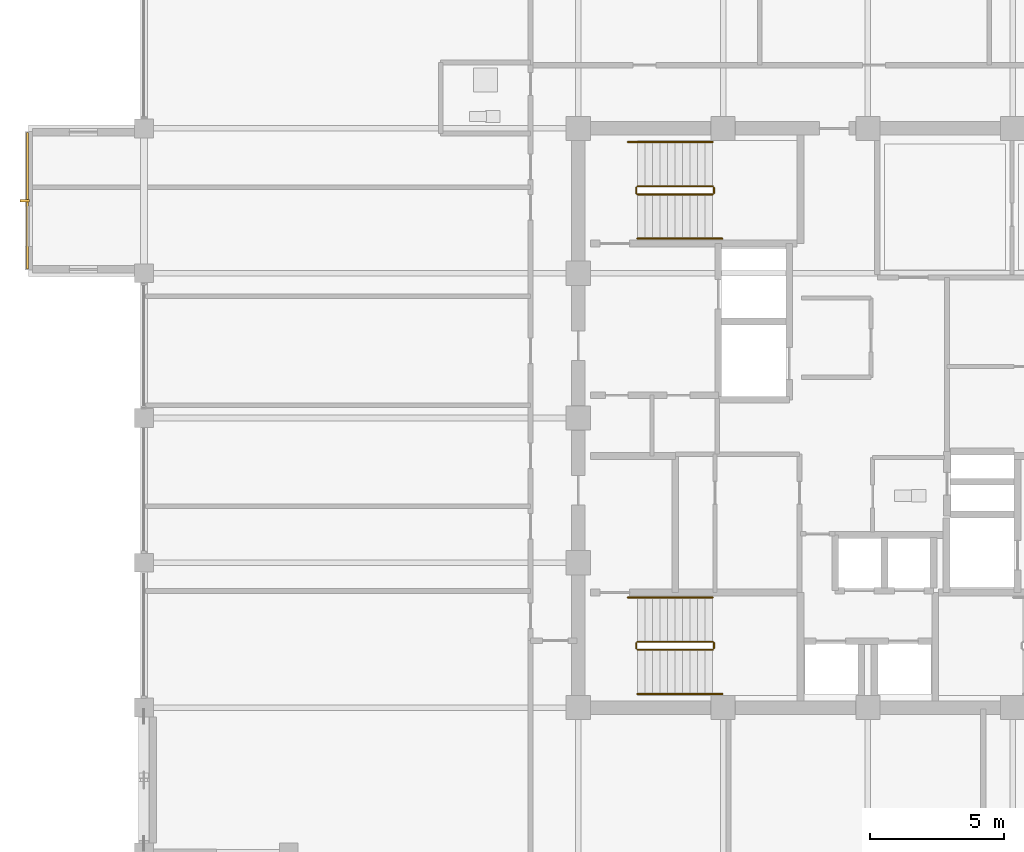
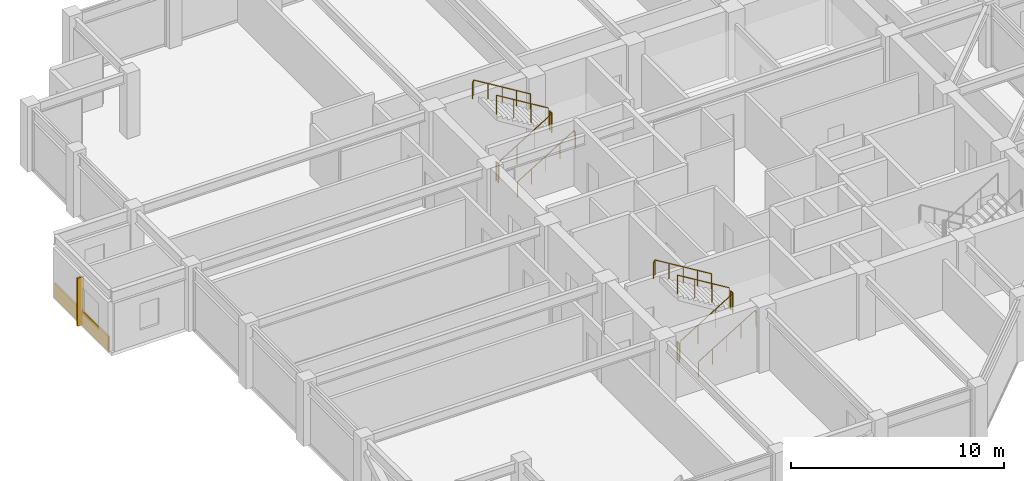
# One storey, part 29 of 31: 12 railings, 1 covering, 1 shading device.
"""IFC4 building model written with IfcOpenShell, lengths in metres."""

from ifc_helpers import new_model, si_unit, direction, frame, origin, origin_2d, place, context, subcontext, project, spatial, rectangle, circle, extrude, material, layer, layer_set, type_object, element, save


model = new_model("IFC4")

# Units and contexts
model_context = context("Model", 3, precision=1e-05, world=origin(), true_north=direction((0.0, 1.0)))
body_context = subcontext(model_context, "Body", "Model", "MODEL_VIEW")
ifc_project = project(units=[si_unit("LENGTHUNIT", "METRE"), si_unit("AREAUNIT", "SQUARE_METRE"), si_unit("VOLUMEUNIT", "CUBIC_METRE"), si_unit("PLANEANGLEUNIT", "RADIAN"), si_unit("MASSUNIT", "GRAM", prefix="KILO")], contexts=[model_context])

# Site, building, storey
site_placement = place(None, origin())
site = spatial("IfcSite", under=ifc_project, at=site_placement, CompositionType="ELEMENT")
building_placement = place(site_placement, origin())
building = spatial("IfcBuilding", under=site, at=building_placement, Name="Surkhivell Harbour Commons", CompositionType="ELEMENT")
storey_placement = place(building_placement, frame((0.0, 0.0, 262.5)))
storey = spatial("IfcBuildingStorey", under=building, at=storey_placement, Name="L68", CompositionType="ELEMENT", Elevation=262.5)

# Covering
ifc_material_1 = material(Name="Emerald-teal enamelled aluminium cassette panel", Category="aluminium")
ifc_layer = layer(ifc_material_1, 0.068115234375)
ifc_layer_set = layer_set([ifc_layer], Name="Emerald-teal enamelled aluminium cassette panel")
covering_type = type_object("IfcCoveringType", Name="COV-CLAD-EME", PredefinedType="CLADDING", material=ifc_layer_set)
covering_placement = place(storey_placement, frame((-31.340087890625, 8.10009765625, 0.0), z_axis=(0.0, 0.0, 1.0), x_axis=(1.0, 0.0, 0.0)))
element("IfcCovering", 1, at=covering_placement, inside=storey, type_object=covering_type, Name="L68 Coloured-Panel Box Spandrel Cassette 02", PredefinedType="CLADDING", context=body_context, shape_type="SweptSolid", body=[
    extrude(rectangle(XDim=0.080078125, YDim=5.10009765625, at=origin_2d()), origin(), (0.0, 0.0, 1.0), 0.840087890625),
])

# Railings
ifc_material_2 = material(Name="Galvanised and painted steel S355 guard rail", Category="steel")
railing_type_1 = type_object("IfcRailingType", Name="RAL-ST-GRD1100", PredefinedType="GUARDRAIL", material=ifc_material_2)
railing_1_placement = place(storey_placement, frame((-8.590087890625, 8.340087890625, 0.17041015625)))
element("IfcRailing", 2, at=railing_1_placement, inside=storey, type_object=railing_type_1, Name="L68 ST1 stair guard 1", PredefinedType="GUARDRAIL", context=body_context, shape_type="SweptSolid", body=[
    extrude(circle(Radius=0.02392578125, at=origin_2d()), frame((0.0, 0.0, 1.076171875), z_axis=(0.854169791009, 0.0, 0.51999420009), x_axis=(0.0, 1.0, 0.0)), (0.0, 0.0, 1.0), 3.278076171875),
    extrude(circle(Radius=0.02099609375, at=origin_2d()), origin(), (0.0, 0.0, 1.0), 1.052001953125),
    extrude(circle(Radius=0.02099609375, at=origin_2d()), frame((0.933349609375, 0.0, 0.568115234375)), (0.0, 0.0, 1.0), 1.052001953125),
    extrude(circle(Radius=0.02099609375, at=origin_2d()), frame((1.86669921875, 0.0, 1.136474609375)), (0.0, 0.0, 1.0), 1.052001953125),
    extrude(circle(Radius=0.02099609375, at=origin_2d()), frame((2.800048828125, 0.0, 1.70458984375)), (0.0, 0.0, 1.0), 1.052001953125),
])
railing_2_placement = place(storey_placement, frame((-5.739990234375, 8.389892578125, 1.875)))
element("IfcRailing", 3, at=railing_2_placement, inside=storey, type_object=railing_type_1, Name="L68 ST1 stair guard 2", PredefinedType="GUARDRAIL", context=body_context, shape_type="SweptSolid", body=[
    extrude(circle(Radius=0.02392578125, at=origin_2d()), frame((0.0, 0.0, 1.076171875), z_axis=(0.0, 1.0, 0.0), x_axis=(-1.0, 0.0, 0.0)), (0.0, 0.0, 1.0), 0.2001953125),
    extrude(circle(Radius=0.02099609375, at=origin_2d()), origin(), (0.0, 0.0, 1.0), 1.052001953125),
    extrude(circle(Radius=0.02099609375, at=origin_2d()), frame((0.0, 0.2001953125, 0.0)), (0.0, 0.0, 1.0), 1.052001953125),
])
railing_3_placement = place(storey_placement, frame((-5.7900390625, 8.639892578125, 2.04541015625)))
element("IfcRailing", 4, at=railing_3_placement, inside=storey, type_object=railing_type_1, Name="L68 ST1 stair guard 3", PredefinedType="GUARDRAIL", context=body_context, shape_type="SweptSolid", body=[
    extrude(circle(Radius=0.02392578125, at=origin_2d()), frame((0.0, 0.0, 1.076171875), z_axis=(-0.854169791009, 0.0, 0.51999420009), x_axis=(0.0, -1.0, 0.0)), (0.0, 0.0, 1.0), 3.278076171875),
    extrude(circle(Radius=0.02099609375, at=origin_2d()), origin(), (0.0, 0.0, 1.0), 1.052001953125),
    extrude(circle(Radius=0.02099609375, at=origin_2d()), frame((-0.933349609375, 0.0, 0.568115234375)), (0.0, 0.0, 1.0), 1.052001953125),
    extrude(circle(Radius=0.02099609375, at=origin_2d()), frame((-1.86669921875, 0.0, 1.136474609375)), (0.0, 0.0, 1.0), 1.052001953125),
    extrude(circle(Radius=0.02099609375, at=origin_2d()), frame((-2.800048828125, 0.0, 1.70458984375)), (0.0, 0.0, 1.0), 1.052001953125),
])
railing_4_placement = place(storey_placement, frame((-8.639892578125, 8.389892578125, 0.0)))
element("IfcRailing", 5, at=railing_4_placement, inside=storey, type_object=railing_type_1, Name="L68 ST1 stair guard 4", PredefinedType="GUARDRAIL", context=body_context, shape_type="SweptSolid", body=[
    extrude(circle(Radius=0.02392578125, at=origin_2d()), frame((0.0, 0.0, 1.076171875), z_axis=(0.0, 1.0, 0.0), x_axis=(-1.0, 0.0, 0.0)), (0.0, 0.0, 1.0), 0.2001953125),
    extrude(circle(Radius=0.02099609375, at=origin_2d()), origin(), (0.0, 0.0, 1.0), 1.052001953125),
    extrude(circle(Radius=0.02099609375, at=origin_2d()), frame((0.0, 0.2001953125, 0.0)), (0.0, 0.0, 1.0), 1.052001953125),
])
railing_5_placement = place(storey_placement, frame((-8.590087890625, -8.639892578125, 0.17041015625)))
element("IfcRailing", 6, at=railing_5_placement, inside=storey, type_object=railing_type_1, Name="L68 ST3 stair guard 1", PredefinedType="GUARDRAIL", context=body_context, shape_type="SweptSolid", body=[
    extrude(circle(Radius=0.02392578125, at=origin_2d()), frame((0.0, 0.0, 1.076171875), z_axis=(0.854169791009, 0.0, 0.51999420009), x_axis=(0.0, 1.0, 0.0)), (0.0, 0.0, 1.0), 3.278076171875),
    extrude(circle(Radius=0.02099609375, at=origin_2d()), origin(), (0.0, 0.0, 1.0), 1.052001953125),
    extrude(circle(Radius=0.02099609375, at=origin_2d()), frame((0.933349609375, 0.0, 0.568115234375)), (0.0, 0.0, 1.0), 1.052001953125),
    extrude(circle(Radius=0.02099609375, at=origin_2d()), frame((1.86669921875, 0.0, 1.136474609375)), (0.0, 0.0, 1.0), 1.052001953125),
    extrude(circle(Radius=0.02099609375, at=origin_2d()), frame((2.800048828125, 0.0, 1.70458984375)), (0.0, 0.0, 1.0), 1.052001953125),
])
railing_6_placement = place(storey_placement, frame((-5.739990234375, -8.590087890625, 1.875)))
element("IfcRailing", 7, at=railing_6_placement, inside=storey, type_object=railing_type_1, Name="L68 ST3 stair guard 2", PredefinedType="GUARDRAIL", context=body_context, shape_type="SweptSolid", body=[
    extrude(circle(Radius=0.02392578125, at=origin_2d()), frame((0.0, 0.0, 1.076171875), z_axis=(0.0, 1.0, 0.0), x_axis=(-1.0, 0.0, 0.0)), (0.0, 0.0, 1.0), 0.2001953125),
    extrude(circle(Radius=0.02099609375, at=origin_2d()), origin(), (0.0, 0.0, 1.0), 1.052001953125),
    extrude(circle(Radius=0.02099609375, at=origin_2d()), frame((0.0, 0.2001953125, 0.0)), (0.0, 0.0, 1.0), 1.052001953125),
])
railing_7_placement = place(storey_placement, frame((-5.7900390625, -8.340087890625, 2.04541015625)))
element("IfcRailing", 8, at=railing_7_placement, inside=storey, type_object=railing_type_1, Name="L68 ST3 stair guard 3", PredefinedType="GUARDRAIL", context=body_context, shape_type="SweptSolid", body=[
    extrude(circle(Radius=0.02392578125, at=origin_2d()), frame((0.0, 0.0, 1.076171875), z_axis=(-0.854169791009, 0.0, 0.51999420009), x_axis=(0.0, -1.0, 0.0)), (0.0, 0.0, 1.0), 3.278076171875),
    extrude(circle(Radius=0.02099609375, at=origin_2d()), origin(), (0.0, 0.0, 1.0), 1.052001953125),
    extrude(circle(Radius=0.02099609375, at=origin_2d()), frame((-0.933349609375, 0.0, 0.568115234375)), (0.0, 0.0, 1.0), 1.052001953125),
    extrude(circle(Radius=0.02099609375, at=origin_2d()), frame((-1.86669921875, 0.0, 1.136474609375)), (0.0, 0.0, 1.0), 1.052001953125),
    extrude(circle(Radius=0.02099609375, at=origin_2d()), frame((-2.800048828125, 0.0, 1.70458984375)), (0.0, 0.0, 1.0), 1.052001953125),
])
railing_8_placement = place(storey_placement, frame((-8.639892578125, -8.590087890625, 0.0)))
element("IfcRailing", 9, at=railing_8_placement, inside=storey, type_object=railing_type_1, Name="L68 ST3 stair guard 4", PredefinedType="GUARDRAIL", context=body_context, shape_type="SweptSolid", body=[
    extrude(circle(Radius=0.02392578125, at=origin_2d()), frame((0.0, 0.0, 1.076171875), z_axis=(0.0, 1.0, 0.0), x_axis=(-1.0, 0.0, 0.0)), (0.0, 0.0, 1.0), 0.2001953125),
    extrude(circle(Radius=0.02099609375, at=origin_2d()), origin(), (0.0, 0.0, 1.0), 1.052001953125),
    extrude(circle(Radius=0.02099609375, at=origin_2d()), frame((0.0, 0.2001953125, 0.0)), (0.0, 0.0, 1.0), 1.052001953125),
])
ifc_material_3 = material(Name="Brushed stainless steel S355 handrail", Category="steel")
railing_type_2 = type_object("IfcRailingType", Name="RAL-ST-HND900", PredefinedType="HANDRAIL", material=ifc_material_3)
railing_9_placement = place(storey_placement, frame((-8.590087890625, 6.68994140625, 0.17041015625)))
element("IfcRailing", 10, at=railing_9_placement, inside=storey, type_object=railing_type_2, Name="L68 ST1 stair handrail 1", PredefinedType="HANDRAIL", context=body_context, shape_type="SweptSolid", body=[
    extrude(circle(Radius=0.02392578125, at=origin_2d()), frame((0.0, 0.0, 0.8759765625), z_axis=(0.854177636135, 0.0, 0.519981313056), x_axis=(0.0, 1.0, 0.0)), (0.0, 0.0, 1.0), 3.60595703125),
    extrude(circle(Radius=0.02392578125, at=origin_2d()), frame((3.080078125, 0.0, 2.7509765625), z_axis=(0.425297416671, 0.0, -0.905053648892), x_axis=(0.0, 1.0, 0.0)), (0.0, 0.0, 1.0), 0.188232421875),
    extrude(circle(Radius=0.02099609375, at=origin_2d()), origin(), (0.0, 0.0, 1.0), 0.851806640625),
    extrude(circle(Radius=0.02099609375, at=origin_2d()), frame((0.77001953125, 0.0, 0.46875)), (0.0, 0.0, 1.0), 0.851806640625),
    extrude(circle(Radius=0.02099609375, at=origin_2d()), frame((1.5400390625, 0.0, 0.9375)), (0.0, 0.0, 1.0), 0.851806640625),
    extrude(circle(Radius=0.02099609375, at=origin_2d()), frame((2.31005859375, 0.0, 1.40625)), (0.0, 0.0, 1.0), 0.851806640625),
    extrude(circle(Radius=0.02099609375, at=origin_2d()), frame((3.080078125, 0.0, 1.875)), (0.0, 0.0, 1.0), 0.851806640625),
    extrude(circle(Radius=0.02099609375, at=origin_2d()), frame((3.16015625, 0.0, 1.70458984375)), (0.0, 0.0, 1.0), 0.851806640625),
])
railing_10_placement = place(storey_placement, frame((-5.7900390625, 10.2900390625, 2.04541015625)))
element("IfcRailing", 11, at=railing_10_placement, inside=storey, type_object=railing_type_2, Name="L68 ST1 stair handrail 2", PredefinedType="HANDRAIL", context=body_context, shape_type="SweptSolid", body=[
    extrude(circle(Radius=0.02392578125, at=origin_2d()), frame((0.0, 0.0, 0.8759765625), z_axis=(-0.854177636135, 0.0, 0.519981313056), x_axis=(0.0, -1.0, 0.0)), (0.0, 0.0, 1.0), 3.60595703125),
    extrude(circle(Radius=0.02392578125, at=origin_2d()), frame((-3.080078125, 0.0, 2.7509765625), z_axis=(-0.424234432967, 0.0, -0.905552398199), x_axis=(0.0, -1.0, 0.0)), (0.0, 0.0, 1.0), 0.188232421875),
    extrude(circle(Radius=0.02099609375, at=origin_2d()), origin(), (0.0, 0.0, 1.0), 0.851806640625),
    extrude(circle(Radius=0.02099609375, at=origin_2d()), frame((-0.77001953125, 0.0, 0.46875)), (0.0, 0.0, 1.0), 0.851806640625),
    extrude(circle(Radius=0.02099609375, at=origin_2d()), frame((-1.5400390625, 0.0, 0.9375)), (0.0, 0.0, 1.0), 0.851806640625),
    extrude(circle(Radius=0.02099609375, at=origin_2d()), frame((-2.31005859375, 0.0, 1.40625)), (0.0, 0.0, 1.0), 0.851806640625),
    extrude(circle(Radius=0.02099609375, at=origin_2d()), frame((-3.080078125, 0.0, 1.875)), (0.0, 0.0, 1.0), 0.851806640625),
    extrude(circle(Radius=0.02099609375, at=origin_2d()), frame((-3.159912109375, 0.0, 1.70458984375)), (0.0, 0.0, 1.0), 0.851806640625),
])
railing_11_placement = place(storey_placement, frame((-8.590087890625, -10.2900390625, 0.17041015625)))
element("IfcRailing", 12, at=railing_11_placement, inside=storey, type_object=railing_type_2, Name="L68 ST3 stair handrail 1", PredefinedType="HANDRAIL", context=body_context, shape_type="SweptSolid", body=[
    extrude(circle(Radius=0.02392578125, at=origin_2d()), frame((0.0, 0.0, 0.8759765625), z_axis=(0.854177636135, 0.0, 0.519981313056), x_axis=(0.0, 1.0, 0.0)), (0.0, 0.0, 1.0), 3.60595703125),
    extrude(circle(Radius=0.02392578125, at=origin_2d()), frame((3.080078125, 0.0, 2.7509765625), z_axis=(0.425297416671, 0.0, -0.905053648892), x_axis=(0.0, 1.0, 0.0)), (0.0, 0.0, 1.0), 0.188232421875),
    extrude(circle(Radius=0.02099609375, at=origin_2d()), origin(), (0.0, 0.0, 1.0), 0.851806640625),
    extrude(circle(Radius=0.02099609375, at=origin_2d()), frame((0.77001953125, 0.0, 0.46875)), (0.0, 0.0, 1.0), 0.851806640625),
    extrude(circle(Radius=0.02099609375, at=origin_2d()), frame((1.5400390625, 0.0, 0.9375)), (0.0, 0.0, 1.0), 0.851806640625),
    extrude(circle(Radius=0.02099609375, at=origin_2d()), frame((2.31005859375, 0.0, 1.40625)), (0.0, 0.0, 1.0), 0.851806640625),
    extrude(circle(Radius=0.02099609375, at=origin_2d()), frame((3.080078125, 0.0, 1.875)), (0.0, 0.0, 1.0), 0.851806640625),
    extrude(circle(Radius=0.02099609375, at=origin_2d()), frame((3.16015625, 0.0, 1.70458984375)), (0.0, 0.0, 1.0), 0.851806640625),
])
railing_12_placement = place(storey_placement, frame((-5.7900390625, -6.68994140625, 2.04541015625)))
element("IfcRailing", 13, at=railing_12_placement, inside=storey, type_object=railing_type_2, Name="L68 ST3 stair handrail 2", PredefinedType="HANDRAIL", context=body_context, shape_type="SweptSolid", body=[
    extrude(circle(Radius=0.02392578125, at=origin_2d()), frame((0.0, 0.0, 0.8759765625), z_axis=(-0.854177636135, 0.0, 0.519981313056), x_axis=(0.0, -1.0, 0.0)), (0.0, 0.0, 1.0), 3.60595703125),
    extrude(circle(Radius=0.02392578125, at=origin_2d()), frame((-3.080078125, 0.0, 2.7509765625), z_axis=(-0.424234432967, 0.0, -0.905552398199), x_axis=(0.0, -1.0, 0.0)), (0.0, 0.0, 1.0), 0.188232421875),
    extrude(circle(Radius=0.02099609375, at=origin_2d()), origin(), (0.0, 0.0, 1.0), 0.851806640625),
    extrude(circle(Radius=0.02099609375, at=origin_2d()), frame((-0.77001953125, 0.0, 0.46875)), (0.0, 0.0, 1.0), 0.851806640625),
    extrude(circle(Radius=0.02099609375, at=origin_2d()), frame((-1.5400390625, 0.0, 0.9375)), (0.0, 0.0, 1.0), 0.851806640625),
    extrude(circle(Radius=0.02099609375, at=origin_2d()), frame((-2.31005859375, 0.0, 1.40625)), (0.0, 0.0, 1.0), 0.851806640625),
    extrude(circle(Radius=0.02099609375, at=origin_2d()), frame((-3.080078125, 0.0, 1.875)), (0.0, 0.0, 1.0), 0.851806640625),
    extrude(circle(Radius=0.02099609375, at=origin_2d()), frame((-3.159912109375, 0.0, 1.70458984375)), (0.0, 0.0, 1.0), 0.851806640625),
])

# Shading device
ifc_material_4 = material(Name="Anodised pale-metal aluminium solar fin", Category="aluminium")
shading_device_type = type_object("IfcShadingDeviceType", Name="SHD-FIN-VERT", PredefinedType="USERDEFINED", material=ifc_material_4)
shading_device_placement = place(storey_placement, frame((-31.43994140625, 8.10009765625, 0.0048828125), z_axis=(0.0, 0.0, 1.0), x_axis=(1.0, 0.0, 0.0)))
element("IfcShadingDevice", 14, at=shading_device_placement, inside=storey, type_object=shading_device_type, Name="L68 Coloured-Box Solar Fin 02", ObjectType="FIN", PredefinedType="USERDEFINED", context=body_context, shape_type="SweptSolid", body=[
    extrude(rectangle(XDim=0.360107421875, YDim=0.090087890625, at=origin_2d()), origin(), (0.0, 0.0, 1.0), 2.75),
])

save(model, "model.ifc")
